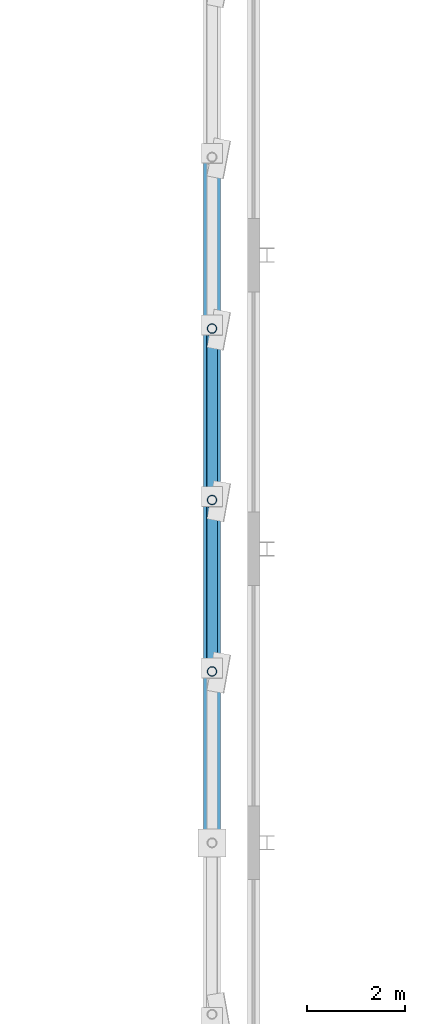
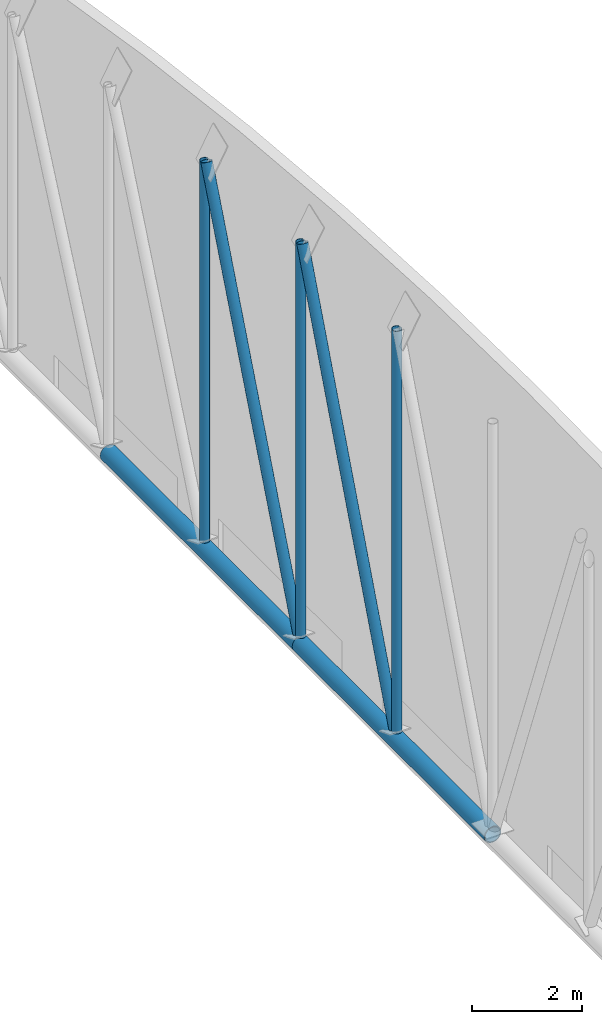
# One storey, part 58 of 196: 7 members.
"""IFC4 building model written with IfcOpenShell, lengths in metres."""

from ifc_helpers import new_model, si_unit, direction, frame, origin, origin_2d, place, context, subcontext, project, spatial, hollow_circle, extrude, material, material_profile, profile_set, type_object, element, save


model = new_model("IFC4")

# Units and contexts
model_context = context("Model", 3, precision=1e-05, world=origin(), true_north=direction((0.0, 1.0)))
body_context = subcontext(model_context, "Body", "Model", "MODEL_VIEW")
ifc_project = project(units=[si_unit("LENGTHUNIT", "METRE"), si_unit("AREAUNIT", "SQUARE_METRE"), si_unit("VOLUMEUNIT", "CUBIC_METRE"), si_unit("PLANEANGLEUNIT", "RADIAN"), si_unit("MASSUNIT", "GRAM", prefix="KILO")], contexts=[model_context])

# Site, building, storey
site_placement = place(None, origin())
site = spatial("IfcSite", under=ifc_project, at=site_placement, CompositionType="ELEMENT")
building_placement = place(site_placement, origin())
building = spatial("IfcBuilding", under=site, at=building_placement, Name="Okhra Congress Centre", CompositionType="ELEMENT")
storey_placement = place(building_placement, frame((0.0, 0.0, 12.0)))
storey = spatial("IfcBuildingStorey", under=building, at=storey_placement, Name="L02", CompositionType="ELEMENT", Elevation=12.0)

# Members
ifc_material = material(Name="Steel S355J2H", Category="steel")
ifc_material_profile_1 = material_profile(ifc_material, hollow_circle(Radius=0.096923828125, WallThickness=0.008056640625, at=origin_2d()), Name="CHS 193.7x8.0")
ifc_profile_set_1 = profile_set([ifc_material_profile_1], Name="Steel S355J2H")
member_type_1 = type_object("IfcMemberType", Name="CHS 193.7x8.0", PredefinedType="POST", material=ifc_profile_set_1)
member_1_placement = place(storey_placement, frame((28.0, 177.5, 1.577880859375), z_axis=(0.0, 0.0, 1.0), x_axis=(1.0, 0.0, 0.0)))
element("IfcMember", 1, at=member_1_placement, inside=storey, type_object=member_type_1, Name="EH.MEM.L02.T1-VER-13", PredefinedType="POST", context=body_context, shape_type="SweptSolid", body=[
    extrude(hollow_circle(Radius=0.096923828125, WallThickness=0.008056640625, at=origin_2d()), origin(), (0.0, 0.0, 1.0), 8.95654296875),
])
member_2_placement = place(storey_placement, frame((28.0, 181.0, 1.577880859375), z_axis=(0.0, 0.0, 1.0), x_axis=(1.0, 0.0, 0.0)))
element("IfcMember", 2, at=member_2_placement, inside=storey, type_object=member_type_1, Name="EH.MEM.L02.T1-VER-14", PredefinedType="POST", context=body_context, shape_type="SweptSolid", body=[
    extrude(hollow_circle(Radius=0.096923828125, WallThickness=0.008056640625, at=origin_2d()), origin(), (0.0, 0.0, 1.0), 8.76953125),
])
member_3_placement = place(storey_placement, frame((28.0, 184.5, 1.577880859375), z_axis=(0.0, 0.0, 1.0), x_axis=(1.0, 0.0, 0.0)))
element("IfcMember", 3, at=member_3_placement, inside=storey, type_object=member_type_1, Name="EH.MEM.L02.T1-VER-15", PredefinedType="POST", context=body_context, shape_type="SweptSolid", body=[
    extrude(hollow_circle(Radius=0.096923828125, WallThickness=0.008056640625, at=origin_2d()), origin(), (0.0, 0.0, 1.0), 8.456787109375),
])
ifc_material_profile_2 = material_profile(ifc_material, hollow_circle(Radius=0.109619140625, WallThickness=0.010009765625, at=origin_2d()), Name="CHS 219.1x10.0")
ifc_profile_set_2 = profile_set([ifc_material_profile_2], Name="Steel S355J2H")
member_type_2 = type_object("IfcMemberType", Name="CHS 219.1x10.0", PredefinedType="BRACE", material=ifc_profile_set_2)
member_4_placement = place(storey_placement, frame((28.0, 180.930908203125, 10.37060546875), z_axis=(0.0, -0.357217988255, -0.934021043054), x_axis=(1.0, 0.0, 0.0)))
element("IfcMember", 4, at=member_4_placement, inside=storey, type_object=member_type_2, Name="EH.MEM.L02.T1-DIA-13", PredefinedType="BRACE", context=body_context, shape_type="SweptSolid", body=[
    extrude(hollow_circle(Radius=0.109619140625, WallThickness=0.010009765625, at=origin_2d()), origin(), (0.0, 0.0, 1.0), 9.413818359375),
])
member_5_placement = place(storey_placement, frame((28.0, 184.429443359375, 10.060546875), z_axis=(0.0, -0.368181952794, -0.929753757528), x_axis=(1.0, 0.0, 0.0)))
element("IfcMember", 5, at=member_5_placement, inside=storey, type_object=member_type_2, Name="EH.MEM.L02.T1-DIA-14", PredefinedType="BRACE", context=body_context, shape_type="SweptSolid", body=[
    extrude(hollow_circle(Radius=0.109619140625, WallThickness=0.010009765625, at=origin_2d()), origin(), (0.0, 0.0, 1.0), 9.12353515625),
])
ifc_material_profile_3 = material_profile(ifc_material, hollow_circle(Radius=0.177734375, WallThickness=0.02001953125, at=origin_2d()), Name="CHS 355.6x20.0")
ifc_profile_set_3 = profile_set([ifc_material_profile_3], Name="Steel S355J2H")
member_type_3 = type_object("IfcMemberType", Name="CHS 355.6x20.0", PredefinedType="CHORD", material=ifc_profile_set_3)
for number, where, z_axis, x_axis, name in (
    (6, (28.0, 174.0, 1.39990234375), (0.0, 1.0, 0.0), (-1.0, 0.0, 0.0), "EH.MEM.L02.T1-BOT-07"),
    (7, (28.0, 181.0, 1.39990234375), (0.0, 1.0, 0.0), (-1.0, 0.0, 0.0), "EH.MEM.L02.T1-BOT-08"),
):
    element("IfcMember", number, at=place(storey_placement, frame(where, z_axis=z_axis, x_axis=x_axis)), inside=storey, type_object=member_type_3, Name=name, PredefinedType="CHORD", context=body_context, shape_type="SweptSolid", body=[
        extrude(hollow_circle(Radius=0.177734375, WallThickness=0.02001953125, at=origin_2d()), origin(), (0.0, 0.0, 1.0), 7.0),
    ])

save(model, "model.ifc")
